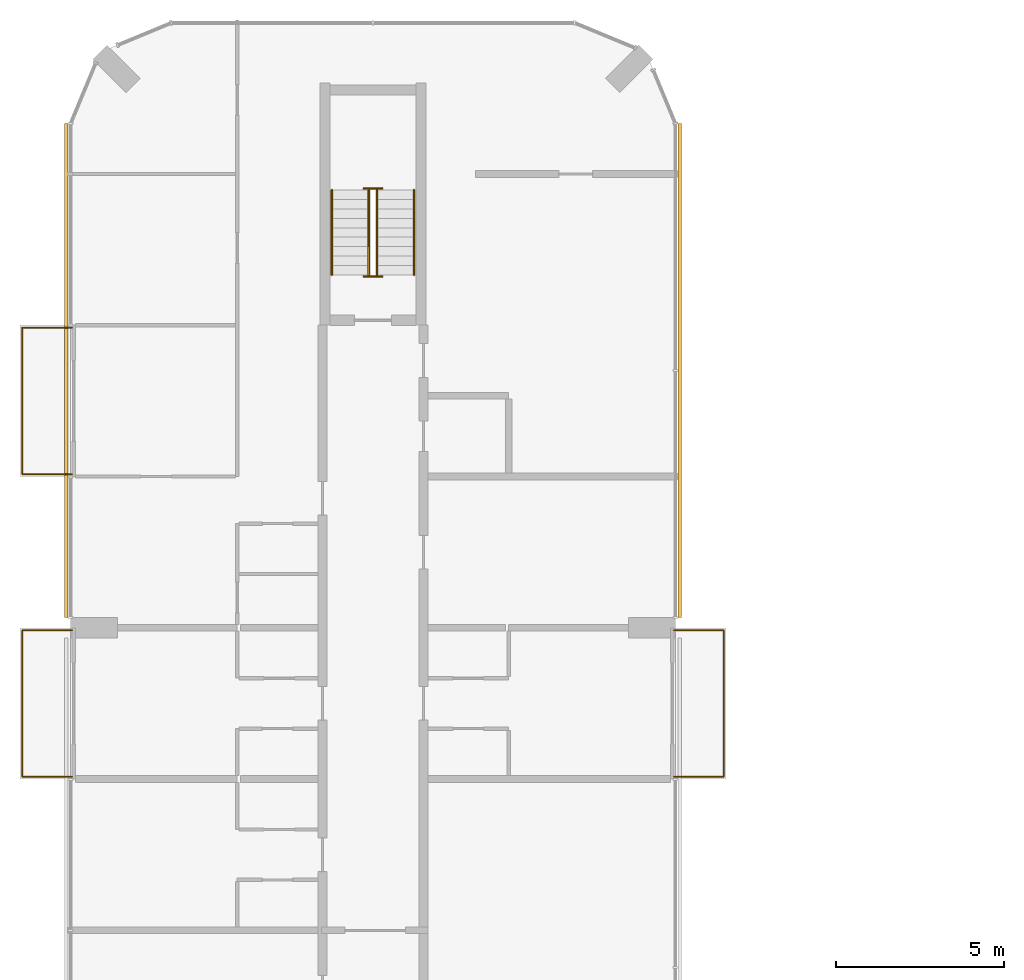
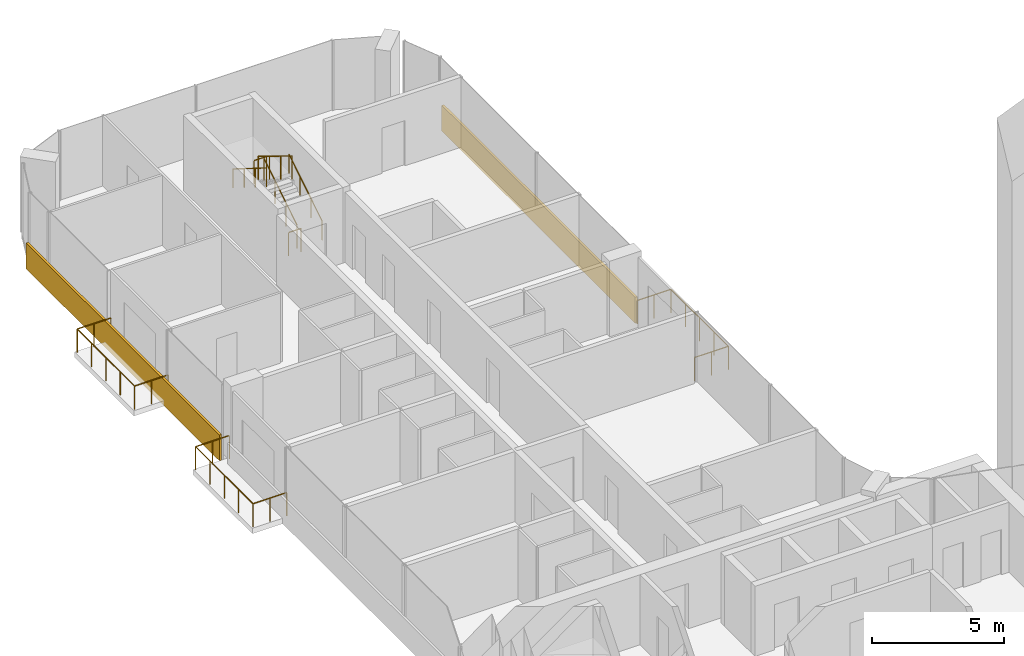
# One storey, part 17 of 17: 9 railings, 2 coverings.
"""IFC4 building model written with IfcOpenShell, lengths in metres."""

from ifc_helpers import new_model, si_unit, direction, frame, origin, origin_2d, place, context, subcontext, project, spatial, rectangle, circle, extrude, material, layer, layer_set, type_object, element, save


model = new_model("IFC4")

# Units and contexts
model_context = context("Model", 3, precision=1e-05, world=origin(), true_north=direction((0.0, 1.0)))
body_context = subcontext(model_context, "Body", "Model", "MODEL_VIEW")
ifc_project = project(units=[si_unit("LENGTHUNIT", "METRE"), si_unit("AREAUNIT", "SQUARE_METRE"), si_unit("VOLUMEUNIT", "CUBIC_METRE"), si_unit("PLANEANGLEUNIT", "RADIAN"), si_unit("MASSUNIT", "GRAM", prefix="KILO")], contexts=[model_context])

# Site, building, storey
site_placement = place(None, origin())
site = spatial("IfcSite", under=ifc_project, at=site_placement, CompositionType="ELEMENT")
building_placement = place(site_placement, origin())
building = spatial("IfcBuilding", under=site, at=building_placement, Name="Plateau Cross Towers", CompositionType="ELEMENT")
storey_placement = place(building_placement, frame((0.0, 0.0, 190.89990234375)))
storey = spatial("IfcBuildingStorey", under=building, at=storey_placement, Name="L49", CompositionType="ELEMENT", Elevation=190.89990234375)

# Railings
ifc_material_1 = material(Name="Stainless steel and toughened glass", Category="steel")
railing_type_1 = type_object("IfcRailingType", Name="Glass balustrade guard 1100", PredefinedType="GUARDRAIL", material=ifc_material_1)
for number, where, name in (
    (1, (0.050048828125, 31.570068359375, 0.0), "Guard guard1"),
    (2, (0.050048828125, 40.570068359375, 0.0), "Guard guard1"),
):
    element("IfcRailing", number, at=place(storey_placement, frame(where)), inside=storey, type_object=railing_type_1, Name=name, PredefinedType="GUARDRAIL", context=body_context, shape_type="SweptSolid", body=[
        extrude(circle(Radius=0.02392578125, at=origin_2d()), frame((0.0, 0.0, 1.076171875), z_axis=(-1.0, 0.0, 0.0), x_axis=(0.0, -1.0, 0.0)), (0.0, 0.0, 1.0), 1.47998046875),
        extrude(circle(Radius=0.02392578125, at=origin_2d()), frame((-1.47998046875, 0.0, 1.076171875), z_axis=(0.0, 1.0, 0.0), x_axis=(-1.0, 0.0, 0.0)), (0.0, 0.0, 1.0), 4.35986328125),
        extrude(circle(Radius=0.02392578125, at=origin_2d()), frame((-1.47998046875, 4.35986328125, 1.076171875), z_axis=(1.0, 0.0, 0.0), x_axis=(0.0, 1.0, 0.0)), (0.0, 0.0, 1.0), 1.47998046875),
        extrude(circle(Radius=0.02099609375, at=origin_2d()), origin(), (0.0, 0.0, 1.0), 1.052001953125),
        extrude(circle(Radius=0.02099609375, at=origin_2d()), frame((-0.739990234375, 0.0, 0.0)), (0.0, 0.0, 1.0), 1.052001953125),
        extrude(circle(Radius=0.02099609375, at=origin_2d()), frame((-1.47998046875, 0.0, 0.0)), (0.0, 0.0, 1.0), 1.052001953125),
        extrude(circle(Radius=0.02099609375, at=origin_2d()), frame((-1.47998046875, 1.08984375, 0.0)), (0.0, 0.0, 1.0), 1.052001953125),
        extrude(circle(Radius=0.02099609375, at=origin_2d()), frame((-1.47998046875, 2.179931640625, 0.0)), (0.0, 0.0, 1.0), 1.052001953125),
        extrude(circle(Radius=0.02099609375, at=origin_2d()), frame((-1.47998046875, 3.27001953125, 0.0)), (0.0, 0.0, 1.0), 1.052001953125),
        extrude(circle(Radius=0.02099609375, at=origin_2d()), frame((-1.47998046875, 4.35986328125, 0.0)), (0.0, 0.0, 1.0), 1.052001953125),
        extrude(circle(Radius=0.02099609375, at=origin_2d()), frame((-0.739990234375, 4.35986328125, 0.0)), (0.0, 0.0, 1.0), 1.052001953125),
        extrude(circle(Radius=0.02099609375, at=origin_2d()), frame((0.0, 4.35986328125, 0.0)), (0.0, 0.0, 1.0), 1.052001953125),
    ])
railing_1_placement = place(storey_placement, frame((17.949951171875, 35.929931640625, 0.0)))
element("IfcRailing", 3, at=railing_1_placement, inside=storey, type_object=railing_type_1, Name="Guard guard1", PredefinedType="GUARDRAIL", context=body_context, shape_type="SweptSolid", body=[
    extrude(circle(Radius=0.02392578125, at=origin_2d()), frame((0.0, 0.0, 1.076171875), z_axis=(1.0, 0.0, 0.0), x_axis=(0.0, 1.0, 0.0)), (0.0, 0.0, 1.0), 1.47998046875),
    extrude(circle(Radius=0.02392578125, at=origin_2d()), frame((1.47998046875, 0.0, 1.076171875), z_axis=(0.0, -1.0, 0.0), x_axis=(1.0, 0.0, 0.0)), (0.0, 0.0, 1.0), 4.35986328125),
    extrude(circle(Radius=0.02392578125, at=origin_2d()), frame((1.47998046875, -4.35986328125, 1.076171875), z_axis=(-1.0, 0.0, 0.0), x_axis=(0.0, -1.0, 0.0)), (0.0, 0.0, 1.0), 1.47998046875),
    extrude(circle(Radius=0.02099609375, at=origin_2d()), origin(), (0.0, 0.0, 1.0), 1.052001953125),
    extrude(circle(Radius=0.02099609375, at=origin_2d()), frame((0.739990234375, 0.0, 0.0)), (0.0, 0.0, 1.0), 1.052001953125),
    extrude(circle(Radius=0.02099609375, at=origin_2d()), frame((1.47998046875, 0.0, 0.0)), (0.0, 0.0, 1.0), 1.052001953125),
    extrude(circle(Radius=0.02099609375, at=origin_2d()), frame((1.47998046875, -1.08984375, 0.0)), (0.0, 0.0, 1.0), 1.052001953125),
    extrude(circle(Radius=0.02099609375, at=origin_2d()), frame((1.47998046875, -2.179931640625, 0.0)), (0.0, 0.0, 1.0), 1.052001953125),
    extrude(circle(Radius=0.02099609375, at=origin_2d()), frame((1.47998046875, -3.27001953125, 0.0)), (0.0, 0.0, 1.0), 1.052001953125),
    extrude(circle(Radius=0.02099609375, at=origin_2d()), frame((1.47998046875, -4.35986328125, 0.0)), (0.0, 0.0, 1.0), 1.052001953125),
    extrude(circle(Radius=0.02099609375, at=origin_2d()), frame((0.739990234375, -4.35986328125, 0.0)), (0.0, 0.0, 1.0), 1.052001953125),
    extrude(circle(Radius=0.02099609375, at=origin_2d()), frame((0.0, -4.35986328125, 0.0)), (0.0, 0.0, 1.0), 1.052001953125),
])
railing_type_2 = type_object("IfcRailingType", Name="RL-GUARD-1100", PredefinedType="GUARDRAIL", material=ifc_material_1)
railing_2_placement = place(storey_placement, frame((9.125, 46.5, 0.175048828125)))
element("IfcRailing", 4, at=railing_2_placement, inside=storey, type_object=railing_type_2, Name="L49 ES-N stair guard 1", PredefinedType="GUARDRAIL", context=body_context, shape_type="SweptSolid", body=[
    extrude(circle(Radius=0.02392578125, at=origin_2d()), frame((0.0, 0.0, 1.076171875), z_axis=(0.0, 0.848007534815, 0.529984170421), x_axis=(-1.0, 0.0, 0.0)), (0.0, 0.0, 1.0), 2.9716796875),
    extrude(circle(Radius=0.02099609375, at=origin_2d()), origin(), (0.0, 0.0, 1.0), 1.052001953125),
    extrude(circle(Radius=0.02099609375, at=origin_2d()), frame((0.0, 0.840087890625, 0.52490234375)), (0.0, 0.0, 1.0), 1.052001953125),
    extrude(circle(Radius=0.02099609375, at=origin_2d()), frame((0.0, 1.679931640625, 1.050048828125)), (0.0, 0.0, 1.0), 1.052001953125),
    extrude(circle(Radius=0.02099609375, at=origin_2d()), frame((0.0, 2.52001953125, 1.574951171875)), (0.0, 0.0, 1.0), 1.052001953125),
])
railing_3_placement = place(storey_placement, frame((9.27490234375, 49.070068359375, 1.75)))
element("IfcRailing", 5, at=railing_3_placement, inside=storey, type_object=railing_type_2, Name="L49 ES-N stair guard 2", PredefinedType="GUARDRAIL", context=body_context, shape_type="SweptSolid", body=[
    extrude(circle(Radius=0.02392578125, at=origin_2d()), frame((0.0, 0.0, 1.076171875), z_axis=(-1.0, 0.0, 0.0), x_axis=(0.0, -1.0, 0.0)), (0.0, 0.0, 1.0), 0.5498046875),
    extrude(circle(Radius=0.02099609375, at=origin_2d()), origin(), (0.0, 0.0, 1.0), 1.052001953125),
    extrude(circle(Radius=0.02099609375, at=origin_2d()), frame((-0.5498046875, 0.0, 0.0)), (0.0, 0.0, 1.0), 1.052001953125),
])
railing_4_placement = place(storey_placement, frame((8.875, 49.02001953125, 1.925048828125)))
element("IfcRailing", 6, at=railing_4_placement, inside=storey, type_object=railing_type_2, Name="L49 ES-N stair guard 3", PredefinedType="GUARDRAIL", context=body_context, shape_type="SweptSolid", body=[
    extrude(circle(Radius=0.02392578125, at=origin_2d()), frame((0.0, 0.0, 1.076171875), z_axis=(0.0, -0.852638500773, 0.522501279423), x_axis=(1.0, 0.0, 0.0)), (0.0, 0.0, 1.0), 3.01416015625),
    extrude(circle(Radius=0.02099609375, at=origin_2d()), origin(), (0.0, 0.0, 1.0), 1.052001953125),
    extrude(circle(Radius=0.02099609375, at=origin_2d()), frame((0.0, -0.856689453125, 0.52490234375)), (0.0, 0.0, 1.0), 1.052001953125),
    extrude(circle(Radius=0.02099609375, at=origin_2d()), frame((0.0, -1.71337890625, 1.050048828125)), (0.0, 0.0, 1.0), 1.052001953125),
    extrude(circle(Radius=0.02099609375, at=origin_2d()), frame((0.0, -2.570068359375, 1.574951171875)), (0.0, 0.0, 1.0), 1.052001953125),
])
railing_5_placement = place(storey_placement, frame((9.27490234375, 46.449951171875, 0.0)))
element("IfcRailing", 7, at=railing_5_placement, inside=storey, type_object=railing_type_2, Name="L49 ES-N stair guard 4", PredefinedType="GUARDRAIL", context=body_context, shape_type="SweptSolid", body=[
    extrude(circle(Radius=0.02392578125, at=origin_2d()), frame((0.0, 0.0, 1.076171875), z_axis=(-1.0, 0.0, 0.0), x_axis=(0.0, -1.0, 0.0)), (0.0, 0.0, 1.0), 0.5498046875),
    extrude(circle(Radius=0.02099609375, at=origin_2d()), origin(), (0.0, 0.0, 1.0), 1.052001953125),
    extrude(circle(Radius=0.02099609375, at=origin_2d()), frame((-0.5498046875, 0.0, 0.0)), (0.0, 0.0, 1.0), 1.052001953125),
])
ifc_material_2 = material(Name="Black anodised aluminium", Category="aluminium")
railing_type_3 = type_object("IfcRailingType", Name="RL-HANDRAIL-900", PredefinedType="HANDRAIL", material=ifc_material_2)
railing_6_placement = place(storey_placement, frame((10.22509765625, 46.5, 0.175048828125)))
element("IfcRailing", 8, at=railing_6_placement, inside=storey, type_object=railing_type_3, Name="L49 ES-N stair handrail 1", PredefinedType="HANDRAIL", context=body_context, shape_type="SweptSolid", body=[
    extrude(circle(Radius=0.02392578125, at=origin_2d()), frame((0.0, 0.0, 0.8759765625), z_axis=(0.0, 0.848007534815, 0.529984170421), x_axis=(-1.0, 0.0, 0.0)), (0.0, 0.0, 1.0), 2.9716796875),
    extrude(circle(Radius=0.02099609375, at=origin_2d()), origin(), (0.0, 0.0, 1.0), 0.851806640625),
    extrude(circle(Radius=0.02099609375, at=origin_2d()), frame((0.0, 0.840087890625, 0.52490234375)), (0.0, 0.0, 1.0), 0.851806640625),
    extrude(circle(Radius=0.02099609375, at=origin_2d()), frame((0.0, 1.679931640625, 1.050048828125)), (0.0, 0.0, 1.0), 0.851806640625),
    extrude(circle(Radius=0.02099609375, at=origin_2d()), frame((0.0, 2.52001953125, 1.574951171875)), (0.0, 0.0, 1.0), 0.851806640625),
])
railing_7_placement = place(storey_placement, frame((7.77490234375, 49.02001953125, 1.925048828125)))
element("IfcRailing", 9, at=railing_7_placement, inside=storey, type_object=railing_type_3, Name="L49 ES-N stair handrail 2", PredefinedType="HANDRAIL", context=body_context, shape_type="SweptSolid", body=[
    extrude(circle(Radius=0.02392578125, at=origin_2d()), frame((0.0, 0.0, 0.8759765625), z_axis=(0.0, -0.848007534815, 0.529984170421), x_axis=(1.0, 0.0, 0.0)), (0.0, 0.0, 1.0), 2.9716796875),
    extrude(circle(Radius=0.02099609375, at=origin_2d()), origin(), (0.0, 0.0, 1.0), 0.851806640625),
    extrude(circle(Radius=0.02099609375, at=origin_2d()), frame((0.0, -0.840087890625, 0.52490234375)), (0.0, 0.0, 1.0), 0.851806640625),
    extrude(circle(Radius=0.02099609375, at=origin_2d()), frame((0.0, -1.679931640625, 1.050048828125)), (0.0, 0.0, 1.0), 0.851806640625),
    extrude(circle(Radius=0.02099609375, at=origin_2d()), frame((0.0, -2.52001953125, 1.574951171875)), (0.0, 0.0, 1.0), 0.851806640625),
])

# Coverings
ifc_material_3 = material(Name="Precast concrete cladding C40/50", Category="concrete")
ifc_layer = layer(ifc_material_3, 0.10009765625)
ifc_layer_set = layer_set([ifc_layer], Name="Precast concrete cladding C40/50")
covering_type = type_object("IfcCoveringType", Name="Spandrel band cladding 100x1200", PredefinedType="CLADDING", material=ifc_layer_set)
for number, where, z_axis, x_axis, name in (
    (10, (18.1201171875, 43.64990234375, -0.25), (0.0, 0.0, 1.0), (0.0, 1.0, 0.0), "Spandrel band"),
    (11, (-0.1201171875, 43.64990234375, -0.25), (0.0, 0.0, 1.0), (0.0, -1.0, 0.0), "Spandrel band"),
):
    element("IfcCovering", number, at=place(storey_placement, frame(where, z_axis=z_axis, x_axis=x_axis)), inside=storey, type_object=covering_type, Name=name, PredefinedType="CLADDING", context=body_context, shape_type="SweptSolid", body=[
        extrude(rectangle(XDim=14.699951171875, YDim=0.10009765625, at=origin_2d()), origin(), (0.0, 0.0, 1.0), 1.199951171875),
    ])

save(model, "model.ifc")
